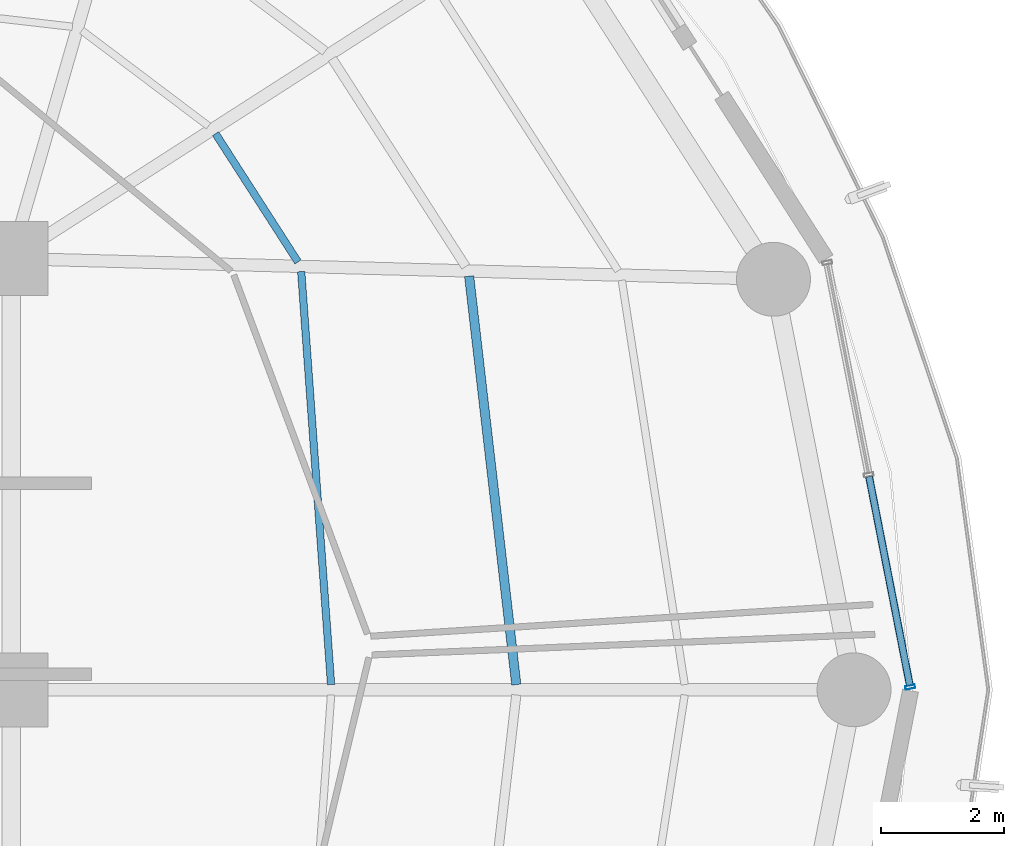
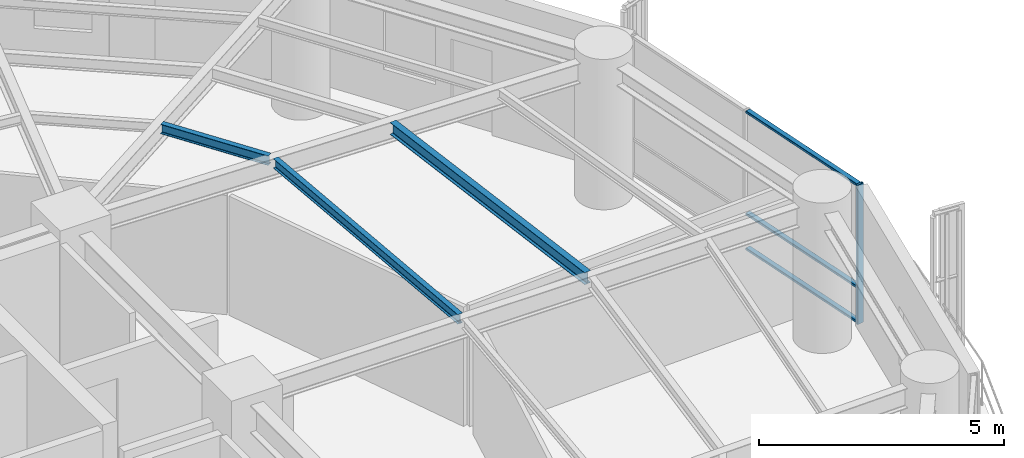
# One storey, part 13 of 28: 4 members, 3 beams, 1 element without a shape of its own.
"""IFC4 building model written with IfcOpenShell, lengths in metres."""

from ifc_helpers import new_model, si_unit, direction, frame, origin, origin_2d, place, context, subcontext, project, spatial, hollow_rectangle, i_section, extrude, material, layer, layer_set, material_profile, profile_set, type_object, element, aggregate, save


model = new_model("IFC4")

# Units and contexts
model_context = context("Model", 3, precision=1e-05, world=origin(), true_north=direction((0.0, 1.0)))
body_context = subcontext(model_context, "Body", "Model", "MODEL_VIEW")
ifc_project = project(units=[si_unit("LENGTHUNIT", "METRE"), si_unit("AREAUNIT", "SQUARE_METRE"), si_unit("VOLUMEUNIT", "CUBIC_METRE"), si_unit("PLANEANGLEUNIT", "RADIAN"), si_unit("MASSUNIT", "GRAM", prefix="KILO")], contexts=[model_context])

# Site, building, storey
site_placement = place(None, origin())
site = spatial("IfcSite", under=ifc_project, at=site_placement, CompositionType="ELEMENT")
building_placement = place(site_placement, origin())
building = spatial("IfcBuilding", under=site, at=building_placement, Name="Kelanora Arch Commons", CompositionType="ELEMENT")
storey_placement = place(building_placement, frame((0.0, 0.0, 161.85009765625)))
storey = spatial("IfcBuildingStorey", under=building, at=storey_placement, Name="L41", CompositionType="ELEMENT", Elevation=161.85009765625)

# Beams
ifc_material_1 = material(Name="Steel S355", Category="steel")
ifc_material_profile_1 = material_profile(ifc_material_1, i_section(OverallWidth=0.14990234375, OverallDepth=0.300048828125, WebThickness=0.007080078125, FlangeThickness=0.0107421875, FilletRadius=0.014892578125, at=origin_2d()), Name="IPE300")
ifc_profile_set_1 = profile_set([ifc_material_profile_1], Name="Steel S355")
beam_type_1 = type_object("IfcBeamType", Name="BM-JST-01", PredefinedType="JOIST", material=ifc_profile_set_1)
beam_1_placement = place(storey_placement, frame((90.1982421875, 58.08447265625, 3.33984375), z_axis=(-0.114667159005, 0.9934039675, 0.0), x_axis=(-0.9934039675, -0.114667159005, 0.0)))
element("IfcBeam", 1, at=beam_1_placement, inside=storey, type_object=beam_type_1, Name="Secondary Chord Joist BJB-00 L41", PredefinedType="JOIST", context=body_context, shape_type="SweptSolid", body=[
    extrude(i_section(OverallWidth=0.14990234375, OverallDepth=0.300048828125, WebThickness=0.007080078125, FlangeThickness=0.0107421875, FilletRadius=0.014892578125, at=origin_2d()), origin(), (0.0, 0.0, 1.0), 6.672607421875),
])
ifc_material_profile_2 = material_profile(ifc_material_1, i_section(OverallWidth=0.1201171875, OverallDepth=0.239990234375, WebThickness=0.006103515625, FlangeThickness=0.009765625, FilletRadius=0.014892578125, at=origin_2d()), Name="IPE240")
ifc_profile_set_2 = profile_set([ifc_material_profile_2], Name="Steel S355")
beam_type_2 = type_object("IfcBeamType", Name="BM-JST-02", PredefinedType="JOIST", material=ifc_profile_set_2)
beam_2_placement = place(storey_placement, frame((87.1923828125, 58.084716796875, 3.369873046875), z_axis=(-0.072117123738, 0.997396170267, 0.0), x_axis=(-0.997396170267, -0.072117123738, 0.0)))
element("IfcBeam", 2, at=beam_2_placement, inside=storey, type_object=beam_type_2, Name="Secondary Chord Joist BJA-00 L41", PredefinedType="JOIST", context=body_context, shape_type="SweptSolid", body=[
    extrude(i_section(OverallWidth=0.1201171875, OverallDepth=0.239990234375, WebThickness=0.006103515625, FlangeThickness=0.009765625, FilletRadius=0.014892578125, at=origin_2d()), origin(), (0.0, 0.0, 1.0), 6.719970703125),
])
beam_3_placement = place(storey_placement, frame((86.655517578125, 64.943359375, 3.369873046875), z_axis=(-0.540583174025, 0.841290575224, 0.0), x_axis=(-0.841290575224, -0.540583174025, 0.0)))
element("IfcBeam", 3, at=beam_3_placement, inside=storey, type_object=beam_type_2, Name="Secondary Chord Joist BJA-02 L41", PredefinedType="JOIST", context=body_context, shape_type="SweptSolid", body=[
    extrude(i_section(OverallWidth=0.1201171875, OverallDepth=0.239990234375, WebThickness=0.006103515625, FlangeThickness=0.009765625, FilletRadius=0.014892578125, at=origin_2d()), origin(), (0.0, 0.0, 1.0), 2.476318359375),
])

# Curtain wall, members
ifc_material_2 = material(Name="Terracotta ceramic-fritted low-E glass and aluminium", Category="masonry")
ifc_layer = layer(ifc_material_2, 0.175048828125)
ifc_layer_set = layer_set([ifc_layer], Name="Terracotta ceramic-fritted low-E glass and aluminium")
curtain_wall_type = type_object("IfcCurtainWallType", Name="CW-SYS-02", PredefinedType="NOTDEFINED", material=ifc_layer_set)
curtain_wall_placement = place(storey_placement, origin())
curtain_wall = element("IfcCurtainWall", 4, at=curtain_wall_placement, inside=storey, type_object=curtain_wall_type, Name="Unitised Curtain Wall L41-B00", PredefinedType="NOTDEFINED")
ifc_material_3 = material(Name="Powder-coated aluminium terracotta", Category="masonry")
ifc_material_profile_3 = material_profile(ifc_material_3, hollow_rectangle(XDim=0.159912109375, YDim=0.06005859375, WallThickness=0.0048828125, InnerFilletRadius=0.0048828125, OuterFilletRadius=0.010009765625, at=origin_2d()), Name="CWM160x60")
ifc_profile_set_3 = profile_set([ifc_material_profile_3], Name="Powder-coated aluminium terracotta")
member_type_1 = type_object("IfcMemberType", Name="CWM-STD", PredefinedType="MULLION", material=ifc_profile_set_3)
member_1_placement = place(storey_placement, frame((96.59130859375, 58.044189453125, 0.0), z_axis=(0.0, 0.0, 1.0), x_axis=(-0.981452557718, -0.191705182375, 0.0)))
member_1 = element("IfcMember", 5, at=member_1_placement, type_object=member_type_1, Name="CW-02 mullion 1", PredefinedType="MULLION", context=body_context, shape_type="SweptSolid", body=[
    extrude(hollow_rectangle(XDim=0.159912109375, YDim=0.06005859375, WallThickness=0.0048828125, InnerFilletRadius=0.0048828125, OuterFilletRadius=0.010009765625, at=origin_2d()), origin(), (0.0, 0.0, 1.0), 3.474853515625),
])
ifc_material_profile_4 = material_profile(ifc_material_3, hollow_rectangle(XDim=0.1201171875, YDim=0.06005859375, WallThickness=0.0048828125, InnerFilletRadius=0.0048828125, OuterFilletRadius=0.010009765625, at=origin_2d()), Name="CWT120x60")
ifc_profile_set_4 = profile_set([ifc_material_profile_4], Name="Powder-coated aluminium terracotta")
member_type_2 = type_object("IfcMemberType", Name="CWT-STD", PredefinedType="USERDEFINED", material=ifc_profile_set_4)
member_2_placement = place(storey_placement, frame((96.585693359375, 58.073486328125, 0.02978515625), z_axis=(-0.191718206447, 0.981450013662, 0.0), x_axis=(-0.981450013662, -0.191718206447, 0.0)))
member_2 = element("IfcMember", 6, at=member_2_placement, type_object=member_type_2, Name="CW-02 transom 1.1", ObjectType="TRANSOM", PredefinedType="USERDEFINED", context=body_context, shape_type="SweptSolid", body=[
    extrude(hollow_rectangle(XDim=0.1201171875, YDim=0.06005859375, WallThickness=0.0048828125, InnerFilletRadius=0.0048828125, OuterFilletRadius=0.010009765625, at=origin_2d()), origin(), (0.0, 0.0, 1.0), 3.44970703125),
])
member_3_placement = place(storey_placement, frame((96.585693359375, 58.073486328125, 0.89990234375), z_axis=(-0.191718206447, 0.981450013662, 0.0), x_axis=(-0.981450013662, -0.191718206447, 0.0)))
member_3 = element("IfcMember", 7, at=member_3_placement, type_object=member_type_2, Name="CW-02 transom 1.2", ObjectType="TRANSOM", PredefinedType="USERDEFINED", context=body_context, shape_type="SweptSolid", body=[
    extrude(hollow_rectangle(XDim=0.1201171875, YDim=0.06005859375, WallThickness=0.0048828125, InnerFilletRadius=0.0048828125, OuterFilletRadius=0.010009765625, at=origin_2d()), origin(), (0.0, 0.0, 1.0), 3.44970703125),
])
member_4_placement = place(storey_placement, frame((96.585693359375, 58.073486328125, 3.44482421875), z_axis=(-0.191718206447, 0.981450013662, 0.0), x_axis=(-0.981450013662, -0.191718206447, 0.0)))
member_4 = element("IfcMember", 8, at=member_4_placement, type_object=member_type_2, Name="CW-02 transom 1.3", ObjectType="TRANSOM", PredefinedType="USERDEFINED", context=body_context, shape_type="SweptSolid", body=[
    extrude(hollow_rectangle(XDim=0.1201171875, YDim=0.06005859375, WallThickness=0.0048828125, InnerFilletRadius=0.0048828125, OuterFilletRadius=0.010009765625, at=origin_2d()), origin(), (0.0, 0.0, 1.0), 3.44970703125),
])
aggregate(curtain_wall, [member_1, member_2, member_3, member_4])

save(model, "model.ifc")
